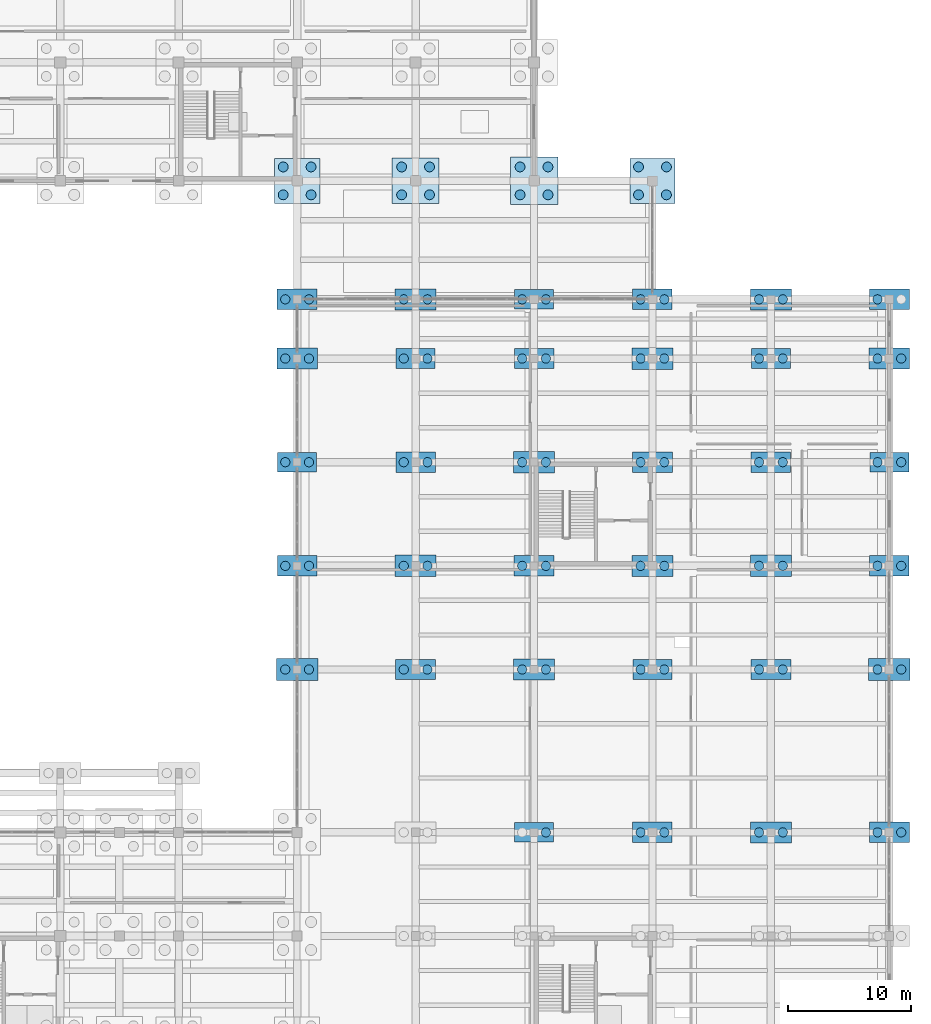
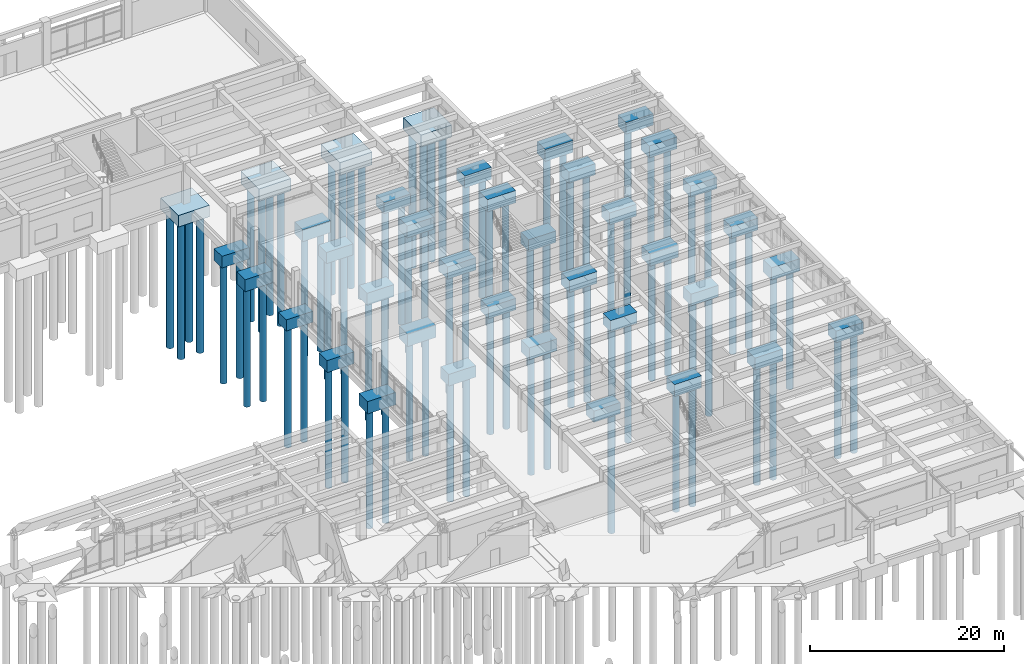
# One storey, part 7 of 102: 82 piles, 38 footings.
"""IFC4 building model written with IfcOpenShell, lengths in metres."""

from ifc_helpers import new_model, si_unit, direction, frame, origin, origin_2d, place, context, subcontext, project, spatial, rectangle, circle, extrude, material, material_profile, profile_set, type_object, element, save


model = new_model("IFC4")

# Units and contexts
model_context = context("Model", 3, precision=1e-05, world=origin(), true_north=direction((0.0, 1.0)))
body_context = subcontext(model_context, "Body", "Model", "MODEL_VIEW")
ifc_project = project(units=[si_unit("LENGTHUNIT", "METRE"), si_unit("AREAUNIT", "SQUARE_METRE"), si_unit("VOLUMEUNIT", "CUBIC_METRE"), si_unit("PLANEANGLEUNIT", "RADIAN"), si_unit("MASSUNIT", "GRAM", prefix="KILO")], contexts=[model_context])

# Site, building, storey
site_placement = place(None, origin())
site = spatial("IfcSite", under=ifc_project, at=site_placement, CompositionType="ELEMENT")
building_placement = place(site_placement, origin())
building = spatial("IfcBuilding", under=site, at=building_placement, Name="Kolvemor Railside Polytechnic", CompositionType="ELEMENT")
storey_placement = place(building_placement, origin())
storey = spatial("IfcBuildingStorey", under=building, at=storey_placement, Name="L00", CompositionType="ELEMENT", Elevation=0.0)

# Footings
ifc_material_1 = material(Name="Concrete C40/50", Category="concrete")
footing_type_1 = type_object("IfcFootingType", Name="FTG-PC-2P-A", PredefinedType="PILE_CAP", material=ifc_material_1)
for number, where, z_axis, x_axis, name in (
    (1, (134.39990234375, 60.0, -1.5), (0.0, 0.0, 1.0), (1.0, 0.0, 0.0), "Pile Cap PC-188"),
    (2, (144.0, 68.39990234375, -1.5), (0.0, 0.0, 1.0), (1.0, 0.0, 0.0), "Pile Cap PC-203"),
    (3, (153.60009765625, 76.800048828125, -1.5), (0.0, 0.0, 1.0), (1.0, 0.0, 0.0), "Pile Cap PC-218"),
    (4, (163.199951171875, 38.39990234375, -1.5), (0.0, 0.0, 1.0), (1.0, 0.0, 0.0), "Pile Cap PC-228"),
    (5, (163.199951171875, 81.60009765625, -1.5), (0.0, 0.0, 1.0), (1.0, 0.0, 0.0), "Pile Cap PC-233"),
    (6, (172.800048828125, 68.39990234375, -1.5), (0.0, 0.0, 1.0), (1.0, 0.0, 0.0), "Pile Cap PC-243"),
    (7, (182.39990234375, 60.0, -1.5), (0.0, 0.0, 1.0), (1.0, 0.0, 0.0), "Pile Cap PC-253"),
):
    element("IfcFooting", number, at=place(storey_placement, frame(where, z_axis=z_axis, x_axis=x_axis)), inside=storey, type_object=footing_type_1, Name=name, PredefinedType="PILE_CAP", context=body_context, shape_type="SweptSolid", body=[
        extrude(rectangle(XDim=3.199951171875, YDim=1.64990234375, at=origin_2d()), origin(), (0.0, 0.0, 1.0), 1.5),
    ])
ifc_material_2 = material(Name="Concrete C40/50", Category="concrete")
footing_type_2 = type_object("IfcFootingType", Name="FTG-PC-2P-B", PredefinedType="PILE_CAP", material=ifc_material_2)
for number, where, z_axis, x_axis, name in (
    (8, (134.39990234375, 68.39990234375, -1.39990234375), (0.0, 0.0, 1.0), (1.0, 0.0, 0.0), "Pile Cap PC-189"),
    (9, (144.0, 76.800048828125, -1.39990234375), (0.0, 0.0, 1.0), (1.0, 0.0, 0.0), "Pile Cap PC-204"),
    (10, (153.60009765625, 38.39990234375, -1.39990234375), (0.0, 0.0, 1.0), (1.0, 0.0, 0.0), "Pile Cap PC-214"),
    (11, (153.60009765625, 81.60009765625, -1.39990234375), (0.0, 0.0, 1.0), (1.0, 0.0, 0.0), "Pile Cap PC-219"),
    (12, (163.199951171875, 51.60009765625, -1.39990234375), (0.0, 0.0, 1.0), (1.0, 0.0, 0.0), "Pile Cap PC-229"),
    (13, (172.800048828125, 76.800048828125, -1.39990234375), (0.0, 0.0, 1.0), (1.0, 0.0, 0.0), "Pile Cap PC-244"),
    (14, (182.39990234375, 68.39990234375, -1.39990234375), (0.0, 0.0, 1.0), (1.0, 0.0, 0.0), "Pile Cap PC-254"),
):
    element("IfcFooting", number, at=place(storey_placement, frame(where, z_axis=z_axis, x_axis=x_axis)), inside=storey, type_object=footing_type_2, Name=name, PredefinedType="PILE_CAP", context=body_context, shape_type="SweptSolid", body=[
        extrude(rectangle(XDim=3.14990234375, YDim=1.60009765625, at=origin_2d()), origin(), (0.0, 0.0, 1.0), 1.39990234375),
    ])
ifc_material_3 = material(Name="Concrete C40/50", Category="concrete")
footing_type_3 = type_object("IfcFootingType", Name="FTG-PC-2P-C", PredefinedType="PILE_CAP", material=ifc_material_3)
for number, where, z_axis, x_axis, name in (
    (15, (134.39990234375, 76.800048828125, -1.5), (0.0, 0.0, 1.0), (1.0, 0.0, 0.0), "Pile Cap PC-190"),
    (16, (144.0, 81.60009765625, -1.5), (0.0, 0.0, 1.0), (1.0, 0.0, 0.0), "Pile Cap PC-205"),
    (17, (153.60009765625, 51.60009765625, -1.5), (0.0, 0.0, 1.0), (1.0, 0.0, 0.0), "Pile Cap PC-215"),
    (18, (163.199951171875, 60.0, -1.5), (0.0, 0.0, 1.0), (1.0, 0.0, 0.0), "Pile Cap PC-230"),
    (19, (172.800048828125, 38.39990234375, -1.5), (0.0, 0.0, 1.0), (1.0, 0.0, 0.0), "Pile Cap PC-240"),
    (20, (172.800048828125, 81.60009765625, -1.5), (0.0, 0.0, 1.0), (1.0, 0.0, 0.0), "Pile Cap PC-245"),
    (21, (182.39990234375, 76.800048828125, -1.5), (0.0, 0.0, 1.0), (1.0, 0.0, 0.0), "Pile Cap PC-255"),
):
    element("IfcFooting", number, at=place(storey_placement, frame(where, z_axis=z_axis, x_axis=x_axis)), inside=storey, type_object=footing_type_3, Name=name, PredefinedType="PILE_CAP", context=body_context, shape_type="SweptSolid", body=[
        extrude(rectangle(XDim=3.300048828125, YDim=1.699951171875, at=origin_2d()), origin(), (0.0, 0.0, 1.0), 1.5),
    ])
ifc_material_4 = material(Name="Concrete C40/50", Category="concrete")
footing_type_4 = type_object("IfcFootingType", Name="FTG-PC-2P-D", PredefinedType="PILE_CAP", material=ifc_material_4)
for number, where, z_axis, x_axis, name in (
    (22, (134.39990234375, 81.60009765625, -1.4501953125), (0.0, 0.0, 1.0), (1.0, 0.0, 0.0), "Pile Cap PC-191"),
    (23, (144.0, 51.60009765625, -1.4501953125), (0.0, 0.0, 1.0), (1.0, 0.0, 0.0), "Pile Cap PC-201"),
    (24, (153.60009765625, 60.0, -1.4501953125), (0.0, 0.0, 1.0), (1.0, 0.0, 0.0), "Pile Cap PC-216"),
    (25, (163.199951171875, 68.39990234375, -1.4501953125), (0.0, 0.0, 1.0), (1.0, 0.0, 0.0), "Pile Cap PC-231"),
    (26, (172.800048828125, 51.60009765625, -1.4501953125), (0.0, 0.0, 1.0), (1.0, 0.0, 0.0), "Pile Cap PC-241"),
    (27, (182.39990234375, 38.39990234375, -1.4501953125), (0.0, 0.0, 1.0), (1.0, 0.0, 0.0), "Pile Cap PC-251"),
    (28, (182.39990234375, 81.60009765625, -1.4501953125), (0.0, 0.0, 1.0), (1.0, 0.0, 0.0), "Pile Cap PC-256"),
):
    element("IfcFooting", number, at=place(storey_placement, frame(where, z_axis=z_axis, x_axis=x_axis)), inside=storey, type_object=footing_type_4, Name=name, PredefinedType="PILE_CAP", context=body_context, shape_type="SweptSolid", body=[
        extrude(rectangle(XDim=3.25, YDim=1.64990234375, at=origin_2d()), origin(), (0.0, 0.0, 1.0), 1.449951171875),
    ])
ifc_material_5 = material(Name="Concrete C40/50", Category="concrete")
footing_type_5 = type_object("IfcFootingType", Name="FTG-PC-2P-E", PredefinedType="PILE_CAP", material=ifc_material_5)
for number, where, z_axis, x_axis, name in (
    (29, (134.39990234375, 51.60009765625, -1.5498046875), (0.0, 0.0, 1.0), (1.0, 0.0, 0.0), "Pile Cap PC-187"),
    (30, (144.0, 60.0, -1.5498046875), (0.0, 0.0, 1.0), (1.0, 0.0, 0.0), "Pile Cap PC-202"),
    (31, (153.60009765625, 68.39990234375, -1.5498046875), (0.0, 0.0, 1.0), (1.0, 0.0, 0.0), "Pile Cap PC-217"),
    (32, (163.199951171875, 76.800048828125, -1.5498046875), (0.0, 0.0, 1.0), (1.0, 0.0, 0.0), "Pile Cap PC-232"),
    (33, (172.800048828125, 60.0, -1.5498046875), (0.0, 0.0, 1.0), (1.0, 0.0, 0.0), "Pile Cap PC-242"),
    (34, (182.39990234375, 51.60009765625, -1.5498046875), (0.0, 0.0, 1.0), (1.0, 0.0, 0.0), "Pile Cap PC-252"),
):
    element("IfcFooting", number, at=place(storey_placement, frame(where, z_axis=z_axis, x_axis=x_axis)), inside=storey, type_object=footing_type_5, Name=name, PredefinedType="PILE_CAP", context=body_context, shape_type="SweptSolid", body=[
        extrude(rectangle(XDim=3.35009765625, YDim=1.75, at=origin_2d()), origin(), (0.0, 0.0, 1.0), 1.550048828125),
    ])
ifc_material_6 = material(Name="Concrete C40/50", Category="concrete")
footing_type_6 = type_object("IfcFootingType", Name="FTG-PC-4P-B", PredefinedType="PILE_CAP", material=ifc_material_6)
footing_1_placement = place(storey_placement, frame((163.199951171875, 91.199951171875, -1.5), z_axis=(0.0, 0.0, 1.0), x_axis=(1.0, 0.0, 0.0)))
element("IfcFooting", 35, at=footing_1_placement, inside=storey, type_object=footing_type_6, Name="Pile Cap PC-234", PredefinedType="PILE_CAP", context=body_context, shape_type="SweptSolid", body=[
    extrude(rectangle(XDim=3.64990234375, YDim=3.64990234375, at=origin_2d()), origin(), (0.0, 0.0, 1.0), 1.5),
])
ifc_material_7 = material(Name="Concrete C40/50", Category="concrete")
footing_type_7 = type_object("IfcFootingType", Name="FTG-PC-4P-C", PredefinedType="PILE_CAP", material=ifc_material_7)
footing_2_placement = place(storey_placement, frame((153.60009765625, 91.199951171875, -1.60009765625), z_axis=(0.0, 0.0, 1.0), x_axis=(1.0, 0.0, 0.0)))
element("IfcFooting", 36, at=footing_2_placement, inside=storey, type_object=footing_type_7, Name="Pile Cap PC-220", PredefinedType="PILE_CAP", context=body_context, shape_type="SweptSolid", body=[
    extrude(rectangle(XDim=3.85009765625, YDim=3.85009765625, at=origin_2d()), origin(), (0.0, 0.0, 1.0), 1.60009765625),
])
ifc_material_8 = material(Name="Concrete C40/50", Category="concrete")
footing_type_8 = type_object("IfcFootingType", Name="FTG-PC-4P-D", PredefinedType="PILE_CAP", material=ifc_material_8)
footing_3_placement = place(storey_placement, frame((144.0, 91.199951171875, -1.5498046875), z_axis=(0.0, 0.0, 1.0), x_axis=(1.0, 0.0, 0.0)))
element("IfcFooting", 37, at=footing_3_placement, inside=storey, type_object=footing_type_8, Name="Pile Cap PC-206", PredefinedType="PILE_CAP", context=body_context, shape_type="SweptSolid", body=[
    extrude(rectangle(XDim=3.800048828125, YDim=3.699951171875, at=origin_2d()), origin(), (0.0, 0.0, 1.0), 1.550048828125),
])
ifc_material_9 = material(Name="Concrete C40/50", Category="concrete")
footing_type_9 = type_object("IfcFootingType", Name="FTG-PC-4P-E", PredefinedType="PILE_CAP", material=ifc_material_9)
footing_4_placement = place(storey_placement, frame((134.39990234375, 91.199951171875, -1.4501953125), z_axis=(0.0, 0.0, 1.0), x_axis=(1.0, 0.0, 0.0)))
element("IfcFooting", 38, at=footing_4_placement, inside=storey, type_object=footing_type_9, Name="Pile Cap PC-192", PredefinedType="PILE_CAP", context=body_context, shape_type="SweptSolid", body=[
    extrude(rectangle(XDim=3.699951171875, YDim=3.64990234375, at=origin_2d()), origin(), (0.0, 0.0, 1.0), 1.449951171875),
])

# Piles
ifc_material_10 = material(Name="Concrete C40/50", Category="concrete")
ifc_material_profile_1 = material_profile(ifc_material_10, circle(Radius=0.375, at=origin_2d()), Name="BP750")
ifc_profile_set_1 = profile_set([ifc_material_profile_1], Name="Concrete C40/50")
pile_type_1 = type_object("IfcPileType", Name="PIL-BP750", PredefinedType="BORED", material=ifc_profile_set_1)
for number, where, z_axis, x_axis, name in (
    (39, (133.43994140625, 51.60009765625, -1.429931640625), (0.0, 0.0, -1.0), (1.0, 0.0, 0.0), "Bored Pile BP750-187-1"),
    (40, (135.360107421875, 51.60009765625, -1.429931640625), (0.0, 0.0, -1.0), (1.0, 0.0, 0.0), "Bored Pile BP750-187-2"),
):
    element("IfcPile", number, at=place(storey_placement, frame(where, z_axis=z_axis, x_axis=x_axis)), inside=storey, type_object=pile_type_1, Name=name, PredefinedType="BORED", context=body_context, shape_type="SweptSolid", body=[
        extrude(circle(Radius=0.375, at=origin_2d()), origin(), (0.0, 0.0, 1.0), 15.070068359375),
    ])
for number, where, z_axis, x_axis, name in (
    (41, (133.43994140625, 60.0, -1.3798828125), (0.0, 0.0, -1.0), (1.0, 0.0, 0.0), "Bored Pile BP750-188-1"),
    (42, (135.360107421875, 60.0, -1.3798828125), (0.0, 0.0, -1.0), (1.0, 0.0, 0.0), "Bored Pile BP750-188-2"),
):
    element("IfcPile", number, at=place(storey_placement, frame(where, z_axis=z_axis, x_axis=x_axis)), inside=storey, type_object=pile_type_1, Name=name, PredefinedType="BORED", context=body_context, shape_type="SweptSolid", body=[
        extrude(circle(Radius=0.375, at=origin_2d()), origin(), (0.0, 0.0, 1.0), 15.1201171875),
    ])
for number, where, z_axis, x_axis, name in (
    (43, (133.43994140625, 68.39990234375, -1.280029296875), (0.0, 0.0, -1.0), (1.0, 0.0, 0.0), "Bored Pile BP750-189-1"),
    (44, (135.360107421875, 68.39990234375, -1.280029296875), (0.0, 0.0, -1.0), (1.0, 0.0, 0.0), "Bored Pile BP750-189-2"),
):
    element("IfcPile", number, at=place(storey_placement, frame(where, z_axis=z_axis, x_axis=x_axis)), inside=storey, type_object=pile_type_1, Name=name, PredefinedType="BORED", context=body_context, shape_type="SweptSolid", body=[
        extrude(circle(Radius=0.375, at=origin_2d()), origin(), (0.0, 0.0, 1.0), 15.219970703125),
    ])
for number, where, z_axis, x_axis, name in (
    (45, (133.43994140625, 76.800048828125, -1.3798828125), (0.0, 0.0, -1.0), (1.0, 0.0, 0.0), "Bored Pile BP750-190-1"),
    (46, (135.360107421875, 76.800048828125, -1.3798828125), (0.0, 0.0, -1.0), (1.0, 0.0, 0.0), "Bored Pile BP750-190-2"),
):
    element("IfcPile", number, at=place(storey_placement, frame(where, z_axis=z_axis, x_axis=x_axis)), inside=storey, type_object=pile_type_1, Name=name, PredefinedType="BORED", context=body_context, shape_type="SweptSolid", body=[
        extrude(circle(Radius=0.375, at=origin_2d()), origin(), (0.0, 0.0, 1.0), 15.1201171875),
    ])
for number, where, z_axis, x_axis, name in (
    (47, (133.43994140625, 81.60009765625, -1.330078125), (0.0, 0.0, -1.0), (1.0, 0.0, 0.0), "Bored Pile BP750-191-1"),
    (48, (135.360107421875, 81.60009765625, -1.330078125), (0.0, 0.0, -1.0), (1.0, 0.0, 0.0), "Bored Pile BP750-191-2"),
    (49, (143.0400390625, 51.60009765625, -1.330078125), (0.0, 0.0, -1.0), (1.0, 0.0, 0.0), "Bored Pile BP750-201-1"),
    (50, (144.9599609375, 51.60009765625, -1.330078125), (0.0, 0.0, -1.0), (1.0, 0.0, 0.0), "Bored Pile BP750-201-2"),
):
    element("IfcPile", number, at=place(storey_placement, frame(where, z_axis=z_axis, x_axis=x_axis)), inside=storey, type_object=pile_type_1, Name=name, PredefinedType="BORED", context=body_context, shape_type="SweptSolid", body=[
        extrude(circle(Radius=0.375, at=origin_2d()), origin(), (0.0, 0.0, 1.0), 15.169921875),
    ])
for number, where, z_axis, x_axis, name in (
    (51, (143.0400390625, 60.0, -1.429931640625), (0.0, 0.0, -1.0), (1.0, 0.0, 0.0), "Bored Pile BP750-202-1"),
    (52, (144.9599609375, 60.0, -1.429931640625), (0.0, 0.0, -1.0), (1.0, 0.0, 0.0), "Bored Pile BP750-202-2"),
):
    element("IfcPile", number, at=place(storey_placement, frame(where, z_axis=z_axis, x_axis=x_axis)), inside=storey, type_object=pile_type_1, Name=name, PredefinedType="BORED", context=body_context, shape_type="SweptSolid", body=[
        extrude(circle(Radius=0.375, at=origin_2d()), origin(), (0.0, 0.0, 1.0), 15.070068359375),
    ])
for number, where, z_axis, x_axis, name in (
    (53, (143.0400390625, 68.39990234375, -1.3798828125), (0.0, 0.0, -1.0), (1.0, 0.0, 0.0), "Bored Pile BP750-203-1"),
    (54, (144.9599609375, 68.39990234375, -1.3798828125), (0.0, 0.0, -1.0), (1.0, 0.0, 0.0), "Bored Pile BP750-203-2"),
):
    element("IfcPile", number, at=place(storey_placement, frame(where, z_axis=z_axis, x_axis=x_axis)), inside=storey, type_object=pile_type_1, Name=name, PredefinedType="BORED", context=body_context, shape_type="SweptSolid", body=[
        extrude(circle(Radius=0.375, at=origin_2d()), origin(), (0.0, 0.0, 1.0), 15.1201171875),
    ])
for number, where, z_axis, x_axis, name in (
    (55, (143.0400390625, 76.800048828125, -1.280029296875), (0.0, 0.0, -1.0), (1.0, 0.0, 0.0), "Bored Pile BP750-204-1"),
    (56, (144.9599609375, 76.800048828125, -1.280029296875), (0.0, 0.0, -1.0), (1.0, 0.0, 0.0), "Bored Pile BP750-204-2"),
):
    element("IfcPile", number, at=place(storey_placement, frame(where, z_axis=z_axis, x_axis=x_axis)), inside=storey, type_object=pile_type_1, Name=name, PredefinedType="BORED", context=body_context, shape_type="SweptSolid", body=[
        extrude(circle(Radius=0.375, at=origin_2d()), origin(), (0.0, 0.0, 1.0), 15.219970703125),
    ])
for number, where, z_axis, x_axis, name in (
    (57, (143.0400390625, 81.60009765625, -1.3798828125), (0.0, 0.0, -1.0), (1.0, 0.0, 0.0), "Bored Pile BP750-205-1"),
    (58, (144.9599609375, 81.60009765625, -1.3798828125), (0.0, 0.0, -1.0), (1.0, 0.0, 0.0), "Bored Pile BP750-205-2"),
):
    element("IfcPile", number, at=place(storey_placement, frame(where, z_axis=z_axis, x_axis=x_axis)), inside=storey, type_object=pile_type_1, Name=name, PredefinedType="BORED", context=body_context, shape_type="SweptSolid", body=[
        extrude(circle(Radius=0.375, at=origin_2d()), origin(), (0.0, 0.0, 1.0), 15.1201171875),
    ])
pile_1_placement = place(storey_placement, frame((154.56005859375, 38.39990234375, -1.280029296875), z_axis=(0.0, 0.0, -1.0), x_axis=(1.0, 0.0, 0.0)))
element("IfcPile", 59, at=pile_1_placement, inside=storey, type_object=pile_type_1, Name="Bored Pile BP750-214-2", PredefinedType="BORED", context=body_context, shape_type="SweptSolid", body=[
    extrude(circle(Radius=0.375, at=origin_2d()), origin(), (0.0, 0.0, 1.0), 15.219970703125),
])
for number, where, z_axis, x_axis, name in (
    (60, (152.639892578125, 51.60009765625, -1.3798828125), (0.0, 0.0, -1.0), (1.0, 0.0, 0.0), "Bored Pile BP750-215-1"),
    (61, (154.56005859375, 51.60009765625, -1.3798828125), (0.0, 0.0, -1.0), (1.0, 0.0, 0.0), "Bored Pile BP750-215-2"),
):
    element("IfcPile", number, at=place(storey_placement, frame(where, z_axis=z_axis, x_axis=x_axis)), inside=storey, type_object=pile_type_1, Name=name, PredefinedType="BORED", context=body_context, shape_type="SweptSolid", body=[
        extrude(circle(Radius=0.375, at=origin_2d()), origin(), (0.0, 0.0, 1.0), 15.1201171875),
    ])
for number, where, z_axis, x_axis, name in (
    (62, (152.639892578125, 60.0, -1.330078125), (0.0, 0.0, -1.0), (1.0, 0.0, 0.0), "Bored Pile BP750-216-1"),
    (63, (154.56005859375, 60.0, -1.330078125), (0.0, 0.0, -1.0), (1.0, 0.0, 0.0), "Bored Pile BP750-216-2"),
):
    element("IfcPile", number, at=place(storey_placement, frame(where, z_axis=z_axis, x_axis=x_axis)), inside=storey, type_object=pile_type_1, Name=name, PredefinedType="BORED", context=body_context, shape_type="SweptSolid", body=[
        extrude(circle(Radius=0.375, at=origin_2d()), origin(), (0.0, 0.0, 1.0), 15.169921875),
    ])
for number, where, z_axis, x_axis, name in (
    (64, (152.639892578125, 68.39990234375, -1.429931640625), (0.0, 0.0, -1.0), (1.0, 0.0, 0.0), "Bored Pile BP750-217-1"),
    (65, (154.56005859375, 68.39990234375, -1.429931640625), (0.0, 0.0, -1.0), (1.0, 0.0, 0.0), "Bored Pile BP750-217-2"),
):
    element("IfcPile", number, at=place(storey_placement, frame(where, z_axis=z_axis, x_axis=x_axis)), inside=storey, type_object=pile_type_1, Name=name, PredefinedType="BORED", context=body_context, shape_type="SweptSolid", body=[
        extrude(circle(Radius=0.375, at=origin_2d()), origin(), (0.0, 0.0, 1.0), 15.070068359375),
    ])
for number, where, z_axis, x_axis, name in (
    (66, (152.639892578125, 76.800048828125, -1.3798828125), (0.0, 0.0, -1.0), (1.0, 0.0, 0.0), "Bored Pile BP750-218-1"),
    (67, (154.56005859375, 76.800048828125, -1.3798828125), (0.0, 0.0, -1.0), (1.0, 0.0, 0.0), "Bored Pile BP750-218-2"),
):
    element("IfcPile", number, at=place(storey_placement, frame(where, z_axis=z_axis, x_axis=x_axis)), inside=storey, type_object=pile_type_1, Name=name, PredefinedType="BORED", context=body_context, shape_type="SweptSolid", body=[
        extrude(circle(Radius=0.375, at=origin_2d()), origin(), (0.0, 0.0, 1.0), 15.1201171875),
    ])
for number, where, z_axis, x_axis, name in (
    (68, (152.639892578125, 81.60009765625, -1.280029296875), (0.0, 0.0, -1.0), (1.0, 0.0, 0.0), "Bored Pile BP750-219-1"),
    (69, (154.56005859375, 81.60009765625, -1.280029296875), (0.0, 0.0, -1.0), (1.0, 0.0, 0.0), "Bored Pile BP750-219-2"),
):
    element("IfcPile", number, at=place(storey_placement, frame(where, z_axis=z_axis, x_axis=x_axis)), inside=storey, type_object=pile_type_1, Name=name, PredefinedType="BORED", context=body_context, shape_type="SweptSolid", body=[
        extrude(circle(Radius=0.375, at=origin_2d()), origin(), (0.0, 0.0, 1.0), 15.219970703125),
    ])
for number, where, z_axis, x_axis, name in (
    (70, (162.239990234375, 38.39990234375, -1.3798828125), (0.0, 0.0, -1.0), (1.0, 0.0, 0.0), "Bored Pile BP750-228-1"),
    (71, (164.159912109375, 38.39990234375, -1.3798828125), (0.0, 0.0, -1.0), (1.0, 0.0, 0.0), "Bored Pile BP750-228-2"),
):
    element("IfcPile", number, at=place(storey_placement, frame(where, z_axis=z_axis, x_axis=x_axis)), inside=storey, type_object=pile_type_1, Name=name, PredefinedType="BORED", context=body_context, shape_type="SweptSolid", body=[
        extrude(circle(Radius=0.375, at=origin_2d()), origin(), (0.0, 0.0, 1.0), 15.1201171875),
    ])
for number, where, z_axis, x_axis, name in (
    (72, (162.239990234375, 51.60009765625, -1.280029296875), (0.0, 0.0, -1.0), (1.0, 0.0, 0.0), "Bored Pile BP750-229-1"),
    (73, (164.159912109375, 51.60009765625, -1.280029296875), (0.0, 0.0, -1.0), (1.0, 0.0, 0.0), "Bored Pile BP750-229-2"),
):
    element("IfcPile", number, at=place(storey_placement, frame(where, z_axis=z_axis, x_axis=x_axis)), inside=storey, type_object=pile_type_1, Name=name, PredefinedType="BORED", context=body_context, shape_type="SweptSolid", body=[
        extrude(circle(Radius=0.375, at=origin_2d()), origin(), (0.0, 0.0, 1.0), 15.219970703125),
    ])
for number, where, z_axis, x_axis, name in (
    (74, (162.239990234375, 60.0, -1.3798828125), (0.0, 0.0, -1.0), (1.0, 0.0, 0.0), "Bored Pile BP750-230-1"),
    (75, (164.159912109375, 60.0, -1.3798828125), (0.0, 0.0, -1.0), (1.0, 0.0, 0.0), "Bored Pile BP750-230-2"),
):
    element("IfcPile", number, at=place(storey_placement, frame(where, z_axis=z_axis, x_axis=x_axis)), inside=storey, type_object=pile_type_1, Name=name, PredefinedType="BORED", context=body_context, shape_type="SweptSolid", body=[
        extrude(circle(Radius=0.375, at=origin_2d()), origin(), (0.0, 0.0, 1.0), 15.1201171875),
    ])
for number, where, z_axis, x_axis, name in (
    (76, (162.239990234375, 68.39990234375, -1.330078125), (0.0, 0.0, -1.0), (1.0, 0.0, 0.0), "Bored Pile BP750-231-1"),
    (77, (164.159912109375, 68.39990234375, -1.330078125), (0.0, 0.0, -1.0), (1.0, 0.0, 0.0), "Bored Pile BP750-231-2"),
):
    element("IfcPile", number, at=place(storey_placement, frame(where, z_axis=z_axis, x_axis=x_axis)), inside=storey, type_object=pile_type_1, Name=name, PredefinedType="BORED", context=body_context, shape_type="SweptSolid", body=[
        extrude(circle(Radius=0.375, at=origin_2d()), origin(), (0.0, 0.0, 1.0), 15.169921875),
    ])
for number, where, z_axis, x_axis, name in (
    (78, (162.239990234375, 76.800048828125, -1.429931640625), (0.0, 0.0, -1.0), (1.0, 0.0, 0.0), "Bored Pile BP750-232-1"),
    (79, (164.159912109375, 76.800048828125, -1.429931640625), (0.0, 0.0, -1.0), (1.0, 0.0, 0.0), "Bored Pile BP750-232-2"),
):
    element("IfcPile", number, at=place(storey_placement, frame(where, z_axis=z_axis, x_axis=x_axis)), inside=storey, type_object=pile_type_1, Name=name, PredefinedType="BORED", context=body_context, shape_type="SweptSolid", body=[
        extrude(circle(Radius=0.375, at=origin_2d()), origin(), (0.0, 0.0, 1.0), 15.070068359375),
    ])
for number, where, z_axis, x_axis, name in (
    (80, (162.239990234375, 81.60009765625, -1.3798828125), (0.0, 0.0, -1.0), (1.0, 0.0, 0.0), "Bored Pile BP750-233-1"),
    (81, (164.159912109375, 81.60009765625, -1.3798828125), (0.0, 0.0, -1.0), (1.0, 0.0, 0.0), "Bored Pile BP750-233-2"),
    (82, (171.840087890625, 38.39990234375, -1.3798828125), (0.0, 0.0, -1.0), (1.0, 0.0, 0.0), "Bored Pile BP750-240-1"),
    (83, (173.760009765625, 38.39990234375, -1.3798828125), (0.0, 0.0, -1.0), (1.0, 0.0, 0.0), "Bored Pile BP750-240-2"),
):
    element("IfcPile", number, at=place(storey_placement, frame(where, z_axis=z_axis, x_axis=x_axis)), inside=storey, type_object=pile_type_1, Name=name, PredefinedType="BORED", context=body_context, shape_type="SweptSolid", body=[
        extrude(circle(Radius=0.375, at=origin_2d()), origin(), (0.0, 0.0, 1.0), 15.1201171875),
    ])
for number, where, z_axis, x_axis, name in (
    (84, (171.840087890625, 51.60009765625, -1.330078125), (0.0, 0.0, -1.0), (1.0, 0.0, 0.0), "Bored Pile BP750-241-1"),
    (85, (173.760009765625, 51.60009765625, -1.330078125), (0.0, 0.0, -1.0), (1.0, 0.0, 0.0), "Bored Pile BP750-241-2"),
):
    element("IfcPile", number, at=place(storey_placement, frame(where, z_axis=z_axis, x_axis=x_axis)), inside=storey, type_object=pile_type_1, Name=name, PredefinedType="BORED", context=body_context, shape_type="SweptSolid", body=[
        extrude(circle(Radius=0.375, at=origin_2d()), origin(), (0.0, 0.0, 1.0), 15.169921875),
    ])
for number, where, z_axis, x_axis, name in (
    (86, (171.840087890625, 60.0, -1.429931640625), (0.0, 0.0, -1.0), (1.0, 0.0, 0.0), "Bored Pile BP750-242-1"),
    (87, (173.760009765625, 60.0, -1.429931640625), (0.0, 0.0, -1.0), (1.0, 0.0, 0.0), "Bored Pile BP750-242-2"),
):
    element("IfcPile", number, at=place(storey_placement, frame(where, z_axis=z_axis, x_axis=x_axis)), inside=storey, type_object=pile_type_1, Name=name, PredefinedType="BORED", context=body_context, shape_type="SweptSolid", body=[
        extrude(circle(Radius=0.375, at=origin_2d()), origin(), (0.0, 0.0, 1.0), 15.070068359375),
    ])
for number, where, z_axis, x_axis, name in (
    (88, (171.840087890625, 68.39990234375, -1.3798828125), (0.0, 0.0, -1.0), (1.0, 0.0, 0.0), "Bored Pile BP750-243-1"),
    (89, (173.760009765625, 68.39990234375, -1.3798828125), (0.0, 0.0, -1.0), (1.0, 0.0, 0.0), "Bored Pile BP750-243-2"),
):
    element("IfcPile", number, at=place(storey_placement, frame(where, z_axis=z_axis, x_axis=x_axis)), inside=storey, type_object=pile_type_1, Name=name, PredefinedType="BORED", context=body_context, shape_type="SweptSolid", body=[
        extrude(circle(Radius=0.375, at=origin_2d()), origin(), (0.0, 0.0, 1.0), 15.1201171875),
    ])
for number, where, z_axis, x_axis, name in (
    (90, (171.840087890625, 76.800048828125, -1.280029296875), (0.0, 0.0, -1.0), (1.0, 0.0, 0.0), "Bored Pile BP750-244-1"),
    (91, (173.760009765625, 76.800048828125, -1.280029296875), (0.0, 0.0, -1.0), (1.0, 0.0, 0.0), "Bored Pile BP750-244-2"),
):
    element("IfcPile", number, at=place(storey_placement, frame(where, z_axis=z_axis, x_axis=x_axis)), inside=storey, type_object=pile_type_1, Name=name, PredefinedType="BORED", context=body_context, shape_type="SweptSolid", body=[
        extrude(circle(Radius=0.375, at=origin_2d()), origin(), (0.0, 0.0, 1.0), 15.219970703125),
    ])
for number, where, z_axis, x_axis, name in (
    (92, (171.840087890625, 81.60009765625, -1.3798828125), (0.0, 0.0, -1.0), (1.0, 0.0, 0.0), "Bored Pile BP750-245-1"),
    (93, (173.760009765625, 81.60009765625, -1.3798828125), (0.0, 0.0, -1.0), (1.0, 0.0, 0.0), "Bored Pile BP750-245-2"),
):
    element("IfcPile", number, at=place(storey_placement, frame(where, z_axis=z_axis, x_axis=x_axis)), inside=storey, type_object=pile_type_1, Name=name, PredefinedType="BORED", context=body_context, shape_type="SweptSolid", body=[
        extrude(circle(Radius=0.375, at=origin_2d()), origin(), (0.0, 0.0, 1.0), 15.1201171875),
    ])
for number, where, z_axis, x_axis, name in (
    (94, (181.43994140625, 38.39990234375, -1.330078125), (0.0, 0.0, -1.0), (1.0, 0.0, 0.0), "Bored Pile BP750-251-1"),
    (95, (183.360107421875, 38.39990234375, -1.330078125), (0.0, 0.0, -1.0), (1.0, 0.0, 0.0), "Bored Pile BP750-251-2"),
):
    element("IfcPile", number, at=place(storey_placement, frame(where, z_axis=z_axis, x_axis=x_axis)), inside=storey, type_object=pile_type_1, Name=name, PredefinedType="BORED", context=body_context, shape_type="SweptSolid", body=[
        extrude(circle(Radius=0.375, at=origin_2d()), origin(), (0.0, 0.0, 1.0), 15.169921875),
    ])
for number, where, z_axis, x_axis, name in (
    (96, (181.43994140625, 51.60009765625, -1.429931640625), (0.0, 0.0, -1.0), (1.0, 0.0, 0.0), "Bored Pile BP750-252-1"),
    (97, (183.360107421875, 51.60009765625, -1.429931640625), (0.0, 0.0, -1.0), (1.0, 0.0, 0.0), "Bored Pile BP750-252-2"),
):
    element("IfcPile", number, at=place(storey_placement, frame(where, z_axis=z_axis, x_axis=x_axis)), inside=storey, type_object=pile_type_1, Name=name, PredefinedType="BORED", context=body_context, shape_type="SweptSolid", body=[
        extrude(circle(Radius=0.375, at=origin_2d()), origin(), (0.0, 0.0, 1.0), 15.070068359375),
    ])
for number, where, z_axis, x_axis, name in (
    (98, (181.43994140625, 60.0, -1.3798828125), (0.0, 0.0, -1.0), (1.0, 0.0, 0.0), "Bored Pile BP750-253-1"),
    (99, (183.360107421875, 60.0, -1.3798828125), (0.0, 0.0, -1.0), (1.0, 0.0, 0.0), "Bored Pile BP750-253-2"),
):
    element("IfcPile", number, at=place(storey_placement, frame(where, z_axis=z_axis, x_axis=x_axis)), inside=storey, type_object=pile_type_1, Name=name, PredefinedType="BORED", context=body_context, shape_type="SweptSolid", body=[
        extrude(circle(Radius=0.375, at=origin_2d()), origin(), (0.0, 0.0, 1.0), 15.1201171875),
    ])
for number, where, z_axis, x_axis, name in (
    (100, (181.43994140625, 68.39990234375, -1.280029296875), (0.0, 0.0, -1.0), (1.0, 0.0, 0.0), "Bored Pile BP750-254-1"),
    (101, (183.360107421875, 68.39990234375, -1.280029296875), (0.0, 0.0, -1.0), (1.0, 0.0, 0.0), "Bored Pile BP750-254-2"),
):
    element("IfcPile", number, at=place(storey_placement, frame(where, z_axis=z_axis, x_axis=x_axis)), inside=storey, type_object=pile_type_1, Name=name, PredefinedType="BORED", context=body_context, shape_type="SweptSolid", body=[
        extrude(circle(Radius=0.375, at=origin_2d()), origin(), (0.0, 0.0, 1.0), 15.219970703125),
    ])
for number, where, z_axis, x_axis, name in (
    (102, (181.43994140625, 76.800048828125, -1.3798828125), (0.0, 0.0, -1.0), (1.0, 0.0, 0.0), "Bored Pile BP750-255-1"),
    (103, (183.360107421875, 76.800048828125, -1.3798828125), (0.0, 0.0, -1.0), (1.0, 0.0, 0.0), "Bored Pile BP750-255-2"),
):
    element("IfcPile", number, at=place(storey_placement, frame(where, z_axis=z_axis, x_axis=x_axis)), inside=storey, type_object=pile_type_1, Name=name, PredefinedType="BORED", context=body_context, shape_type="SweptSolid", body=[
        extrude(circle(Radius=0.375, at=origin_2d()), origin(), (0.0, 0.0, 1.0), 15.1201171875),
    ])
pile_2_placement = place(storey_placement, frame((181.43994140625, 81.60009765625, -1.330078125), z_axis=(0.0, 0.0, -1.0), x_axis=(1.0, 0.0, 0.0)))
element("IfcPile", 104, at=pile_2_placement, inside=storey, type_object=pile_type_1, Name="Bored Pile BP750-256-1", PredefinedType="BORED", context=body_context, shape_type="SweptSolid", body=[
    extrude(circle(Radius=0.375, at=origin_2d()), origin(), (0.0, 0.0, 1.0), 15.169921875),
])
ifc_material_11 = material(Name="Concrete C40/50", Category="concrete")
ifc_material_profile_2 = material_profile(ifc_material_11, circle(Radius=0.39990234375, at=origin_2d()), Name="BP800")
ifc_profile_set_2 = profile_set([ifc_material_profile_2], Name="Concrete C40/50")
pile_type_2 = type_object("IfcPileType", Name="PIL-BP800", PredefinedType="BORED", material=ifc_profile_set_2)
for number, where, z_axis, x_axis, name in (
    (105, (133.27001953125, 90.070068359375, -1.330078125), (0.0, 0.0, -1.0), (1.0, 0.0, 0.0), "Bored Pile PIL-BP800-192-1"),
    (106, (133.27001953125, 92.330078125, -1.330078125), (0.0, 0.0, -1.0), (1.0, 0.0, 0.0), "Bored Pile PIL-BP800-192-2"),
    (107, (135.530029296875, 90.070068359375, -1.330078125), (0.0, 0.0, -1.0), (1.0, 0.0, 0.0), "Bored Pile PIL-BP800-192-3"),
    (108, (135.530029296875, 92.330078125, -1.330078125), (0.0, 0.0, -1.0), (1.0, 0.0, 0.0), "Bored Pile PIL-BP800-192-4"),
):
    element("IfcPile", number, at=place(storey_placement, frame(where, z_axis=z_axis, x_axis=x_axis)), inside=storey, type_object=pile_type_2, Name=name, PredefinedType="BORED", context=body_context, shape_type="SweptSolid", body=[
        extrude(circle(Radius=0.39990234375, at=origin_2d()), origin(), (0.0, 0.0, 1.0), 17.169921875),
    ])
for number, where, z_axis, x_axis, name in (
    (109, (142.8701171875, 90.070068359375, -1.429931640625), (0.0, 0.0, -1.0), (1.0, 0.0, 0.0), "Bored Pile PIL-BP800-206-1"),
    (110, (142.8701171875, 92.330078125, -1.429931640625), (0.0, 0.0, -1.0), (1.0, 0.0, 0.0), "Bored Pile PIL-BP800-206-2"),
    (111, (145.1298828125, 90.070068359375, -1.429931640625), (0.0, 0.0, -1.0), (1.0, 0.0, 0.0), "Bored Pile PIL-BP800-206-3"),
    (112, (145.1298828125, 92.330078125, -1.429931640625), (0.0, 0.0, -1.0), (1.0, 0.0, 0.0), "Bored Pile PIL-BP800-206-4"),
):
    element("IfcPile", number, at=place(storey_placement, frame(where, z_axis=z_axis, x_axis=x_axis)), inside=storey, type_object=pile_type_2, Name=name, PredefinedType="BORED", context=body_context, shape_type="SweptSolid", body=[
        extrude(circle(Radius=0.39990234375, at=origin_2d()), origin(), (0.0, 0.0, 1.0), 17.070068359375),
    ])
for number, where, z_axis, x_axis, name in (
    (113, (152.469970703125, 90.070068359375, -1.47998046875), (0.0, 0.0, -1.0), (1.0, 0.0, 0.0), "Bored Pile PIL-BP800-220-1"),
    (114, (152.469970703125, 92.330078125, -1.47998046875), (0.0, 0.0, -1.0), (1.0, 0.0, 0.0), "Bored Pile PIL-BP800-220-2"),
    (115, (154.72998046875, 90.070068359375, -1.47998046875), (0.0, 0.0, -1.0), (1.0, 0.0, 0.0), "Bored Pile PIL-BP800-220-3"),
    (116, (154.72998046875, 92.330078125, -1.47998046875), (0.0, 0.0, -1.0), (1.0, 0.0, 0.0), "Bored Pile PIL-BP800-220-4"),
):
    element("IfcPile", number, at=place(storey_placement, frame(where, z_axis=z_axis, x_axis=x_axis)), inside=storey, type_object=pile_type_2, Name=name, PredefinedType="BORED", context=body_context, shape_type="SweptSolid", body=[
        extrude(circle(Radius=0.39990234375, at=origin_2d()), origin(), (0.0, 0.0, 1.0), 17.02001953125),
    ])
for number, where, z_axis, x_axis, name in (
    (117, (162.070068359375, 90.070068359375, -1.3798828125), (0.0, 0.0, -1.0), (1.0, 0.0, 0.0), "Bored Pile PIL-BP800-234-1"),
    (118, (162.070068359375, 92.330078125, -1.3798828125), (0.0, 0.0, -1.0), (1.0, 0.0, 0.0), "Bored Pile PIL-BP800-234-2"),
    (119, (164.330078125, 90.070068359375, -1.3798828125), (0.0, 0.0, -1.0), (1.0, 0.0, 0.0), "Bored Pile PIL-BP800-234-3"),
    (120, (164.330078125, 92.330078125, -1.3798828125), (0.0, 0.0, -1.0), (1.0, 0.0, 0.0), "Bored Pile PIL-BP800-234-4"),
):
    element("IfcPile", number, at=place(storey_placement, frame(where, z_axis=z_axis, x_axis=x_axis)), inside=storey, type_object=pile_type_2, Name=name, PredefinedType="BORED", context=body_context, shape_type="SweptSolid", body=[
        extrude(circle(Radius=0.39990234375, at=origin_2d()), origin(), (0.0, 0.0, 1.0), 17.1201171875),
    ])

save(model, "model.ifc")
